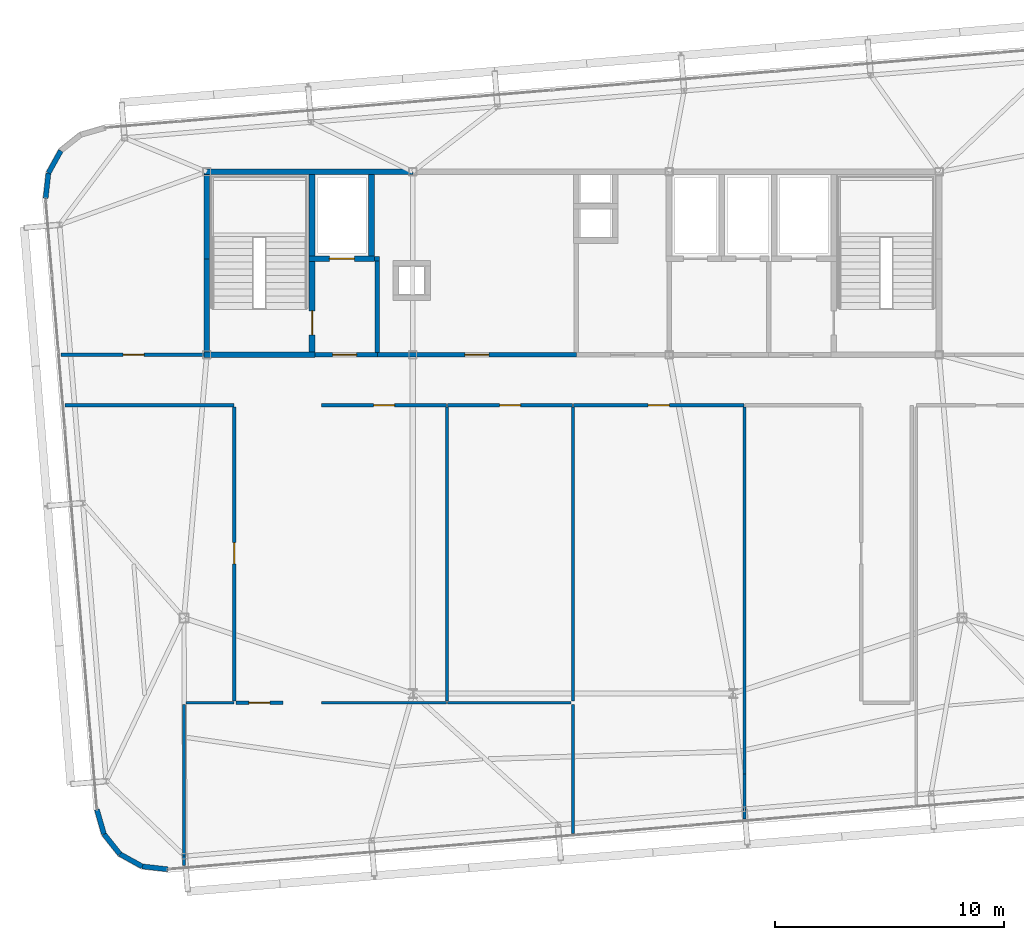
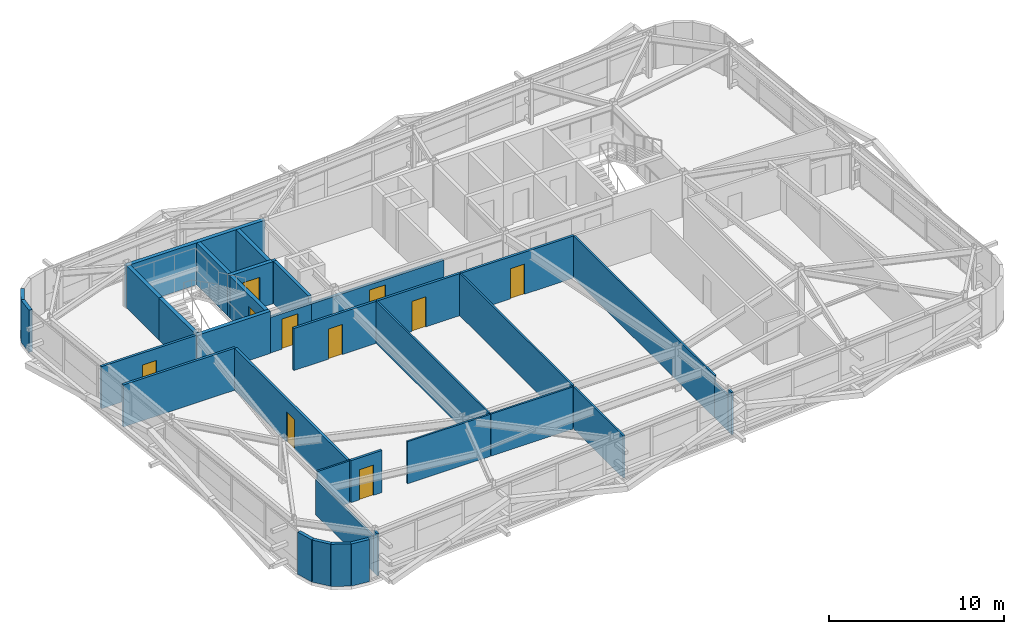
# One storey, part 42 of 46: 36 walls, 10 doors, 10 openings.
"""IFC4 building model written with IfcOpenShell, lengths in metres."""

from ifc_helpers import new_model, si_unit, direction, frame, frame_2d, origin, place, context, subcontext, project, spatial, rectangle, extrude, source, transform, mapped, material, layer, layer_set, type_object, element, fill, save


model = new_model("IFC4")

# Units and contexts
model_context = context("Model", 3, precision=1e-05, world=origin(), true_north=direction((0.0, 1.0)))
body_context = subcontext(model_context, "Body", "Model", "MODEL_VIEW")
ifc_project = project(units=[si_unit("LENGTHUNIT", "METRE"), si_unit("AREAUNIT", "SQUARE_METRE"), si_unit("VOLUMEUNIT", "CUBIC_METRE"), si_unit("PLANEANGLEUNIT", "RADIAN"), si_unit("MASSUNIT", "GRAM", prefix="KILO")], contexts=[model_context])

# Site, building, storey
site_placement = place(None, origin())
site = spatial("IfcSite", under=ifc_project, at=site_placement, CompositionType="ELEMENT")
building_placement = place(site_placement, origin())
building = spatial("IfcBuilding", under=site, at=building_placement, Name="Taldren Reach Tower", CompositionType="ELEMENT")
storey_placement = place(building_placement, frame((0.0, 0.0, 185.14990234375)))
storey = spatial("IfcBuildingStorey", under=building, at=storey_placement, Name="L56", CompositionType="ELEMENT", Elevation=185.14990234375)

# Walls
ifc_material_1 = material(Name="Pale Champagne Anodised Aluminium Cladding", Category="aluminium")
ifc_layer_1 = layer(ifc_material_1, 0.04, Name="Pale Champagne Anodised Aluminium Cladding", Category="aluminium")
ifc_material_2 = material(Name="Mineral Wool Acoustic Insulation", Category="insulation")
ifc_layer_2 = layer(ifc_material_2, 0.06, Name="Mineral Wool Acoustic Insulation", Category="insulation")
ifc_material_3 = material(Name="Steel Gr 350 (C350L0)", Category="steel")
ifc_layer_3 = layer(ifc_material_3, 0.12, Name="Steel Gr 350 (C350L0)", Category="steel")
ifc_layer_set_1 = layer_set([ifc_layer_1, ifc_layer_2, ifc_layer_3], Name="Pale Champagne Aluminium Cladding and Steel Gr 350 Stud Framing")
wall_type_1 = type_object("IfcWallType", Name="EW-CRN-220", PredefinedType="SOLIDWALL", material=ifc_layer_set_1)
shared_shape_1 = source(origin(), body_context, "Body", "SweptSolid", [
    extrude(rectangle(XDim=1.115966796875, YDim=0.219970703125, at=frame_2d((0.55810546875, 0.0))), origin(), (0.0, 0.0, 1.0), 2.93017578125),
])
for number, where, z_axis, x_axis, name in (
    (1, (12.618896484375, 32.9208984375, 0.0), (0.0, 0.0, 1.0), (-0.484100585842, -0.875012355791, 0.0), "Rounded-corner pale-metal facade wall L56-NW3"),
    (2, (12.07861328125, 31.9443359375, 0.0), (0.0, 0.0, 1.0), (-0.112232247342, -0.993682002784, 0.0), "Rounded-corner pale-metal facade wall L56-NW4"),
    (3, (14.19580078125, 4.129638671875, 0.0), (0.0, 0.0, 1.0), (0.276512002475, -0.961010464297, 0.0), "Rounded-corner pale-metal facade wall L56-SW1"),
    (4, (14.50439453125, 3.05712890625, 0.0), (0.0, 0.0, 1.0), (0.623092886403, -0.782147847222, 0.0), "Rounded-corner pale-metal facade wall L56-SW2"),
    (5, (15.19970703125, 2.184326171875, 0.0), (0.0, 0.0, 1.0), (0.875105012065, -0.483933071672, 0.0), "Rounded-corner pale-metal facade wall L56-SW3"),
    (6, (16.17626953125, 1.644287109375, 0.0), (0.0, 0.0, 1.0), (0.993657581277, -0.112448259968, 0.0), "Rounded-corner pale-metal facade wall L56-SW4"),
):
    element("IfcWall", number, at=place(storey_placement, frame(where, z_axis=z_axis, x_axis=x_axis)), inside=storey, type_object=wall_type_1, Name=name, PredefinedType="SOLIDWALL", context=body_context, shape_type="MappedRepresentation", body=[
        mapped(shared_shape_1, transform((0.0, 0.0, 0.0), scale=1.0)),
    ])

# Wall, opening, door
ifc_material_4 = material(Name="Fire-Rated Acoustic Plasterboard Stud Wall", Category="gypsum")
ifc_layer_4 = layer(ifc_material_4, 0.159912109375)
ifc_layer_set_2 = layer_set([ifc_layer_4], Name="Fire-Rated Acoustic Plasterboard Stud Wall")
wall_type_2 = type_object("IfcWallType", Name="IW-FIRE-160", PredefinedType="PARTITIONING", material=ifc_layer_set_2)
shared_shape_2 = source(origin(), body_context, "Body", "SweptSolid", [
    extrude(rectangle(XDim=2.0400390625, YDim=0.159912109375, at=frame_2d((1.02001953125, 0.0))), origin(), (0.0, 0.0, 1.0), 2.93017578125),
])
wall_1_placement = place(storey_placement, frame((22.320068359375, 8.800048828125, 0.0), z_axis=(0.0, 0.0, 1.0), x_axis=(-1.0, 0.0, 0.0)))
wall_1 = element("IfcWall", 7, at=wall_1_placement, inside=storey, type_object=wall_type_2, Name="Interior Partition Wall W-INT-L56-034", PredefinedType="PARTITIONING", context=body_context, shape_type="MappedRepresentation", body=[
    mapped(shared_shape_2, transform((0.0, 0.0, 0.0), scale=1.0)),
])
shared_shape_3 = source(origin(), body_context, "Body", "SweptSolid", [
    extrude(rectangle(XDim=0.919921875, YDim=2.10009765625, at=frame_2d((0.4599609375, 1.050048828125))), frame((0.0, 0.08984375, 0.0), z_axis=(0.0, -1.0, 0.0), x_axis=(1.0, 0.0, 0.0)), (0.0, 0.0, 1.0), 0.179931640625),
])
opening_1_placement = place(wall_1_placement, frame((0.56005859375, 0.0, 0.0)))
opening_1 = element("IfcOpeningElement", 8, at=opening_1_placement, cuts=wall_1, Name="Opening DI-092", PredefinedType="OPENING", context=body_context, shape_type="MappedRepresentation", body=[
    mapped(shared_shape_3, transform((0.0, 0.0, 0.0), scale=1.0)),
])
ifc_material_5 = material(Name="Solid-Core Timber Suite Door", Category="wood")
door_type_1 = type_object("IfcDoorType", Name="ID-INT-092", OperationType="NOTDEFINED", PredefinedType="DOOR", material=ifc_material_5)
shared_shape_4 = source(origin(), body_context, "Body", "SweptSolid", [
    extrude(rectangle(XDim=0.919921875, YDim=2.10009765625, at=frame_2d((0.4599609375, 1.050048828125))), frame((0.0, 0.02490234375, 0.0), z_axis=(0.0, -1.0, 0.0), x_axis=(1.0, 0.0, 0.0)), (0.0, 0.0, 1.0), 0.050048828125),
])
door_1_placement = place(opening_1_placement, origin())
door_1 = element("IfcDoor", 9, at=door_1_placement, inside=storey, type_object=door_type_1, Name="Interior Door DR-L56-008", OperationType="SINGLE_SWING_LEFT", OverallHeight=2.10009765625, OverallWidth=0.919921875, PredefinedType="DOOR", context=body_context, shape_type="MappedRepresentation", body=[
    mapped(shared_shape_4, transform((0.0, 0.0, 0.0), scale=1.0)),
])
fill(opening_1, door_1)

# Walls
ifc_material_6 = material(Name="Insulated Residential Stud Partition", Category="gypsum")
ifc_layer_5 = layer(ifc_material_6, 0.1201171875)
ifc_layer_set_3 = layer_set([ifc_layer_5], Name="Insulated Residential Stud Partition")
wall_type_3 = type_object("IfcWallType", Name="IW-PART-120", PredefinedType="PARTITIONING", material=ifc_layer_set_3)
shared_shape_5 = source(origin(), body_context, "Body", "SweptSolid", [
    extrude(rectangle(XDim=5.399658203125, YDim=0.1201171875, at=frame_2d((2.69970703125, 0.0))), origin(), (0.0, 0.0, 1.0), 2.93017578125),
])
wall_2_placement = place(storey_placement, frame((29.520263671875, 8.800048828125, 0.0), z_axis=(0.0, 0.0, 1.0), x_axis=(1.0, 0.0, 0.0)))
element("IfcWall", 10, at=wall_2_placement, inside=storey, type_object=wall_type_3, Name="Interior Partition Wall W-INT-L56-051", PredefinedType="PARTITIONING", context=body_context, shape_type="MappedRepresentation", body=[
    mapped(shared_shape_5, transform((0.0, 0.0, 0.0), scale=1.0)),
])
ifc_material_7 = material(Name="Concrete S50 (50 MPa)", Category="concrete")
ifc_layer_6 = layer(ifc_material_7, 0.199951171875)
ifc_layer_set_4 = layer_set([ifc_layer_6], Name="Concrete S50 (50 MPa)")
wall_type_4 = type_object("IfcWallType", Name="IW-CORE-200", PredefinedType="SOLIDWALL", material=ifc_layer_set_4)
shared_shape_6 = source(origin(), body_context, "Body", "SweptSolid", [
    extrude(rectangle(XDim=4.0, YDim=0.199951171875, at=frame_2d((2.0, 0.0))), origin(), (0.0, 0.0, 1.0), 2.93017578125),
])
wall_3_placement = place(storey_placement, frame((26.449951171875, 24.10009765625, 0.0), z_axis=(0.0, 0.0, 1.0), x_axis=(0.0, 1.0, 0.0)))
element("IfcWall", 11, at=wall_3_placement, inside=storey, type_object=wall_type_4, Name="Rear Core Shear Wall W-INT-L56-006", PredefinedType="SOLIDWALL", context=body_context, shape_type="MappedRepresentation", body=[
    mapped(shared_shape_6, transform((0.0, 0.0, 0.0), scale=1.0)),
])

# Wall, opening, door
shared_shape_7 = source(origin(), body_context, "Body", "SweptSolid", [
    extrude(rectangle(XDim=5.45947265625, YDim=0.159912109375, at=frame_2d((2.729736328125, 0.0))), origin(), (0.0, 0.0, 1.0), 2.93017578125),
])
wall_4_placement = place(storey_placement, frame((29.479736328125, 21.800048828125, 0.0), z_axis=(0.0, 0.0, 1.0), x_axis=(-1.0, 0.0, 0.0)))
wall_4 = element("IfcWall", 12, at=wall_4_placement, inside=storey, type_object=wall_type_2, Name="Interior Partition Wall W-INT-L56-038", PredefinedType="PARTITIONING", context=body_context, shape_type="MappedRepresentation", body=[
    mapped(shared_shape_7, transform((0.0, 0.0, 0.0), scale=1.0)),
])
opening_2_placement = place(wall_4_placement, frame((2.269775390625, 0.0, 0.0)))
opening_2 = element("IfcOpeningElement", 13, at=opening_2_placement, cuts=wall_4, Name="Opening DI-092", PredefinedType="OPENING", context=body_context, shape_type="MappedRepresentation", body=[
    mapped(shared_shape_3, transform((0.0, 0.0, 0.0), scale=1.0)),
])
door_2_placement = place(opening_2_placement, origin())
door_2 = element("IfcDoor", 14, at=door_2_placement, inside=storey, type_object=door_type_1, Name="Interior Door DR-L56-011", OperationType="SINGLE_SWING_RIGHT", OverallHeight=2.10009765625, OverallWidth=0.919921875, PredefinedType="DOOR", context=body_context, shape_type="MappedRepresentation", body=[
    mapped(shared_shape_4, transform((0.0, 0.0, 0.0), scale=1.0)),
])
fill(opening_2, door_2)

wall_5_placement = place(storey_placement, frame((34.979736328125, 21.800048828125, 0.0), z_axis=(0.0, 0.0, 1.0), x_axis=(-1.0, 0.0, 0.0)))
wall_5 = element("IfcWall", 15, at=wall_5_placement, inside=storey, type_object=wall_type_2, Name="Interior Partition Wall W-INT-L56-039", PredefinedType="PARTITIONING", context=body_context, shape_type="MappedRepresentation", body=[
    mapped(shared_shape_7, transform((0.0, 0.0, 0.0), scale=1.0)),
])
opening_3_placement = place(wall_5_placement, frame((2.269775390625, 0.0, 0.0)))
opening_3 = element("IfcOpeningElement", 16, at=opening_3_placement, cuts=wall_5, Name="Opening DI-092", PredefinedType="OPENING", context=body_context, shape_type="MappedRepresentation", body=[
    mapped(shared_shape_3, transform((0.0, 0.0, 0.0), scale=1.0)),
])
door_3_placement = place(opening_3_placement, origin())
door_3 = element("IfcDoor", 17, at=door_3_placement, inside=storey, type_object=door_type_1, Name="Interior Door DR-L56-012", OperationType="SINGLE_SWING_LEFT", OverallHeight=2.10009765625, OverallWidth=0.919921875, PredefinedType="DOOR", context=body_context, shape_type="MappedRepresentation", body=[
    mapped(shared_shape_4, transform((0.0, 0.0, 0.0), scale=1.0)),
])
fill(opening_3, door_3)

shared_shape_8 = source(origin(), body_context, "Body", "SweptSolid", [
    extrude(rectangle(XDim=7.45947265625, YDim=0.159912109375, at=frame_2d((3.729736328125, 0.0))), origin(), (0.0, 0.0, 1.0), 2.93017578125),
])
wall_6_placement = place(storey_placement, frame((42.479736328125, 21.800048828125, 0.0), z_axis=(0.0, 0.0, 1.0), x_axis=(-1.0, 0.0, 0.0)))
wall_6 = element("IfcWall", 18, at=wall_6_placement, inside=storey, type_object=wall_type_2, Name="Interior Partition Wall W-INT-L56-041", PredefinedType="PARTITIONING", context=body_context, shape_type="MappedRepresentation", body=[
    mapped(shared_shape_8, transform((0.0, 0.0, 0.0), scale=1.0)),
])
opening_4_placement = place(wall_6_placement, frame((3.269775390625, 0.0, 0.0)))
opening_4 = element("IfcOpeningElement", 19, at=opening_4_placement, cuts=wall_6, Name="Opening DI-092", PredefinedType="OPENING", context=body_context, shape_type="MappedRepresentation", body=[
    mapped(shared_shape_3, transform((0.0, 0.0, 0.0), scale=1.0)),
])
door_4_placement = place(opening_4_placement, origin())
door_4 = element("IfcDoor", 20, at=door_4_placement, inside=storey, type_object=door_type_1, Name="Interior Door DR-L56-014", OperationType="SINGLE_SWING_LEFT", OverallHeight=2.10009765625, OverallWidth=0.919921875, PredefinedType="DOOR", context=body_context, shape_type="MappedRepresentation", body=[
    mapped(shared_shape_4, transform((0.0, 0.0, 0.0), scale=1.0)),
])
fill(opening_4, door_4)

# Walls
ifc_material_8 = material(Name="Concrete S65 (65 MPa)", Category="concrete")
ifc_layer_7 = layer(ifc_material_8, 0.25)
ifc_layer_set_5 = layer_set([ifc_layer_7], Name="Concrete S65 (65 MPa)")
wall_type_5 = type_object("IfcWallType", Name="IW-CORE-250", PredefinedType="SHEAR", material=ifc_layer_set_5)
shared_shape_9 = source(origin(), body_context, "Body", "SweptSolid", [
    extrude(rectangle(XDim=9.125, YDim=0.25, at=frame_2d((4.5625, 0.0))), origin(), (0.0, 0.0, 1.0), 2.93017578125),
])
wall_7_placement = place(storey_placement, frame((18.875, 32.0, 0.0), z_axis=(0.0, 0.0, 1.0), x_axis=(1.0, 0.0, 0.0)))
element("IfcWall", 21, at=wall_7_placement, inside=storey, type_object=wall_type_5, Name="Rear Core Shear Wall W-CORE-L56-NORTH1", PredefinedType="SHEAR", context=body_context, shape_type="MappedRepresentation", body=[
    mapped(shared_shape_9, transform((0.0, 0.0, 0.0), scale=1.0)),
])
shared_shape_10 = source(origin(), body_context, "Body", "SweptSolid", [
    extrude(rectangle(XDim=4.074951171875, YDim=0.25, at=frame_2d((2.03759765625, 0.0))), origin(), (0.0, 0.0, 1.0), 2.93017578125),
])
wall_8_placement = place(storey_placement, frame((19.0, 24.125, 0.0), z_axis=(0.0, 0.0, 1.0), x_axis=(0.0, 1.0, 0.0)))
element("IfcWall", 22, at=wall_8_placement, inside=storey, type_object=wall_type_5, Name="Rear Core Shear Wall W-CORE-L56-WEST1", PredefinedType="SHEAR", context=body_context, shape_type="MappedRepresentation", body=[
    mapped(shared_shape_10, transform((0.0, 0.0, 0.0), scale=1.0)),
])
shared_shape_11 = source(origin(), body_context, "Body", "SweptSolid", [
    extrude(rectangle(XDim=3.675048828125, YDim=0.25, at=frame_2d((1.83740234375, 0.0))), origin(), (0.0, 0.0, 1.0), 2.93017578125),
])
wall_9_placement = place(storey_placement, frame((19.0, 28.199951171875, 0.0), z_axis=(0.0, 0.0, 1.0), x_axis=(0.0, 1.0, 0.0)))
element("IfcWall", 23, at=wall_9_placement, inside=storey, type_object=wall_type_5, Name="Rear Core Shear Wall W-CORE-L56-WEST2", PredefinedType="SHEAR", context=body_context, shape_type="MappedRepresentation", body=[
    mapped(shared_shape_11, transform((0.0, 0.0, 0.0), scale=1.0)),
])
shared_shape_12 = source(origin(), body_context, "Body", "SweptSolid", [
    extrude(rectangle(XDim=3.550048828125, YDim=0.25, at=frame_2d((1.77490234375, 0.0))), origin(), (0.0, 0.0, 1.0), 2.93017578125),
])
for number, where, z_axis, x_axis, name in (
    (24, (23.60009765625, 28.324951171875, 0.0), (0.0, 0.0, 1.0), (0.0, 1.0, 0.0), "Rear Core Shear Wall W-INT-L56-001"),
    (25, (26.199951171875, 28.324951171875, 0.0), (0.0, 0.0, 1.0), (0.0, 1.0, 0.0), "Rear Core Shear Wall W-INT-L56-005"),
):
    element("IfcWall", number, at=place(storey_placement, frame(where, z_axis=z_axis, x_axis=x_axis)), inside=storey, type_object=wall_type_5, Name=name, PredefinedType="SHEAR", context=body_context, shape_type="MappedRepresentation", body=[
        mapped(shared_shape_12, transform((0.0, 0.0, 0.0), scale=1.0)),
    ])

# Wall, opening, door
shared_shape_13 = source(origin(), body_context, "Body", "SweptSolid", [
    extrude(rectangle(XDim=3.949951171875, YDim=0.25, at=frame_2d((1.97509765625, 0.0))), origin(), (0.0, 0.0, 1.0), 2.93017578125),
])
wall_10_placement = place(storey_placement, frame((23.60009765625, 24.125, 0.0), z_axis=(0.0, 0.0, 1.0), x_axis=(0.0, 1.0, 0.0)))
wall_10 = element("IfcWall", 26, at=wall_10_placement, inside=storey, type_object=wall_type_5, Name="Rear Core Shear Wall W-INT-L56-002", PredefinedType="SHEAR", context=body_context, shape_type="MappedRepresentation", body=[
    mapped(shared_shape_13, transform((0.0, 0.0, 0.0), scale=1.0)),
])
shared_shape_14 = source(origin(), body_context, "Body", "SweptSolid", [
    extrude(rectangle(XDim=1.050048828125, YDim=2.10009765625, at=frame_2d((0.52490234375, 1.050048828125))), frame((0.0, 0.135009765625, 0.0), z_axis=(0.0, -1.0, 0.0), x_axis=(1.0, 0.0, 0.0)), (0.0, 0.0, 1.0), 0.27001953125),
])
opening_5_placement = place(wall_10_placement, frame((0.75, 0.0, 0.0)))
opening_5 = element("IfcOpeningElement", 27, at=opening_5_placement, cuts=wall_10, Name="Opening DF-105", PredefinedType="OPENING", context=body_context, shape_type="MappedRepresentation", body=[
    mapped(shared_shape_14, transform((0.0, 0.0, 0.0), scale=1.0)),
])
ifc_material_9 = material(Name="Fire-Rated Care and Stair Exit Door")
door_type_2 = type_object("IfcDoorType", Name="ID-FIRE-105", OperationType="NOTDEFINED", PredefinedType="DOOR", material=ifc_material_9)
shared_shape_15 = source(origin(), body_context, "Body", "SweptSolid", [
    extrude(rectangle(XDim=1.050048828125, YDim=2.10009765625, at=frame_2d((0.52490234375, 1.050048828125))), frame((0.0, 0.02490234375, 0.0), z_axis=(0.0, -1.0, 0.0), x_axis=(1.0, 0.0, 0.0)), (0.0, 0.0, 1.0), 0.050048828125),
])
door_5_placement = place(opening_5_placement, origin())
door_5 = element("IfcDoor", 28, at=door_5_placement, inside=storey, type_object=door_type_2, Name="Fire Exit Stair Door DR-L56-001", OperationType="SINGLE_SWING_LEFT", OverallHeight=2.10009765625, OverallWidth=1.050048828125, PredefinedType="DOOR", context=body_context, shape_type="MappedRepresentation", body=[
    mapped(shared_shape_15, transform((0.0, 0.0, 0.0), scale=1.0)),
])
fill(opening_5, door_5)

# Wall
shared_shape_16 = source(origin(), body_context, "Body", "SweptSolid", [
    extrude(rectangle(XDim=4.85009765625, YDim=0.25, at=frame_2d((2.425048828125, 0.0))), origin(), (0.0, 0.0, 1.0), 2.93017578125),
])
wall_11_placement = place(storey_placement, frame((18.875, 24.0, 0.0), z_axis=(0.0, 0.0, 1.0), x_axis=(1.0, 0.0, 0.0)))
element("IfcWall", 29, at=wall_11_placement, inside=storey, type_object=wall_type_5, Name="Rear Core Shear Wall W-INT-L56-003", PredefinedType="SHEAR", context=body_context, shape_type="MappedRepresentation", body=[
    mapped(shared_shape_16, transform((0.0, 0.0, 0.0), scale=1.0)),
])

# Wall, opening, door
shared_shape_17 = source(origin(), body_context, "Body", "SweptSolid", [
    extrude(rectangle(XDim=2.849853515625, YDim=0.25, at=frame_2d((1.4248046875, 0.0))), origin(), (0.0, 0.0, 1.0), 2.93017578125),
])
wall_12_placement = place(storey_placement, frame((23.47509765625, 28.199951171875, 0.0), z_axis=(0.0, 0.0, 1.0), x_axis=(1.0, 0.0, 0.0)))
wall_12 = element("IfcWall", 30, at=wall_12_placement, inside=storey, type_object=wall_type_5, Name="Rear Core Shear Wall W-INT-L56-004", PredefinedType="SHEAR", context=body_context, shape_type="MappedRepresentation", body=[
    mapped(shared_shape_17, transform((0.0, 0.0, 0.0), scale=1.0)),
])
shared_shape_18 = source(origin(), body_context, "Body", "SweptSolid", [
    extrude(rectangle(XDim=1.10009765625, YDim=2.14990234375, at=frame_2d((0.550048828125, 1.074951171875))), frame((0.0, 0.135009765625, 0.0), z_axis=(0.0, -1.0, 0.0), x_axis=(1.0, 0.0, 0.0)), (0.0, 0.0, 1.0), 0.27001953125),
])
opening_6_placement = place(wall_12_placement, frame((0.875, 0.0, 0.0)))
opening_6 = element("IfcOpeningElement", 31, at=opening_6_placement, cuts=wall_12, Name="Opening LD-FL1", PredefinedType="OPENING", context=body_context, shape_type="MappedRepresentation", body=[
    mapped(shared_shape_18, transform((0.0, 0.0, 0.0), scale=1.0)),
])
ifc_material_10 = material(Name="Stainless Steel Gr 316 Emergency Lift Landing Door", Category="steel")
door_type_3 = type_object("IfcDoorType", Name="LD-EMG-110", OperationType="SLIDING_TO_LEFT", PredefinedType="DOOR", material=ifc_material_10)
shared_shape_19 = source(origin(), body_context, "Body", "SweptSolid", [
    extrude(rectangle(XDim=1.10009765625, YDim=2.14990234375, at=frame_2d((0.550048828125, 1.074951171875))), frame((0.0, 0.02490234375, 0.0), z_axis=(0.0, -1.0, 0.0), x_axis=(1.0, 0.0, 0.0)), (0.0, 0.0, 1.0), 0.050048828125),
])
door_6_placement = place(opening_6_placement, origin())
door_6 = element("IfcDoor", 32, at=door_6_placement, inside=storey, type_object=door_type_3, Name="Lift Landing Door LD-FL1-L56", OperationType="SLIDING_TO_LEFT", OverallHeight=2.14990234375, OverallWidth=1.10009765625, PredefinedType="DOOR", context=body_context, shape_type="MappedRepresentation", body=[
    mapped(shared_shape_19, transform((0.0, 0.0, 0.0), scale=1.0)),
])
fill(opening_6, door_6)

shared_shape_20 = source(origin(), body_context, "Body", "SweptSolid", [
    extrude(rectangle(XDim=2.724853515625, YDim=0.199951171875, at=frame_2d((1.3623046875, 0.0))), origin(), (0.0, 0.0, 1.0), 2.47021484375),
])
wall_13_placement = place(storey_placement, frame((23.72509765625, 24.0, 0.0), z_axis=(0.0, 0.0, 1.0), x_axis=(1.0, 0.0, 0.0)))
wall_13 = element("IfcWall", 33, at=wall_13_placement, inside=storey, type_object=wall_type_4, Name="Rear Core Shear Wall W-INT-L56-007", PredefinedType="SOLIDWALL", context=body_context, shape_type="MappedRepresentation", body=[
    mapped(shared_shape_20, transform((0.0, 0.0, 0.0), scale=1.0)),
])
shared_shape_21 = source(origin(), body_context, "Body", "SweptSolid", [
    extrude(rectangle(XDim=1.050048828125, YDim=2.10009765625, at=frame_2d((0.52490234375, 1.050048828125))), frame((0.0, 0.10986328125, 0.0), z_axis=(0.0, -1.0, 0.0), x_axis=(1.0, 0.0, 0.0)), (0.0, 0.0, 1.0), 0.219970703125),
])
opening_7_placement = place(wall_13_placement, frame((0.77490234375, 0.0, 0.0)))
opening_7 = element("IfcOpeningElement", 34, at=opening_7_placement, cuts=wall_13, Name="Opening DF-105", PredefinedType="OPENING", context=body_context, shape_type="MappedRepresentation", body=[
    mapped(shared_shape_21, transform((0.0, 0.0, 0.0), scale=1.0)),
])
door_7_placement = place(opening_7_placement, origin())
door_7 = element("IfcDoor", 35, at=door_7_placement, inside=storey, type_object=door_type_2, Name="Interior Door DR-L56-002", OperationType="SINGLE_SWING_LEFT", OverallHeight=2.10009765625, OverallWidth=1.050048828125, PredefinedType="DOOR", context=body_context, shape_type="MappedRepresentation", body=[
    mapped(shared_shape_15, transform((0.0, 0.0, 0.0), scale=1.0)),
])
fill(opening_7, door_7)

shared_shape_22 = source(origin(), body_context, "Body", "SweptSolid", [
    extrude(rectangle(XDim=8.699951171875, YDim=0.199951171875, at=frame_2d((4.35009765625, 0.0))), origin(), (0.0, 0.0, 1.0), 2.47021484375),
])
wall_14_placement = place(storey_placement, frame((35.14990234375, 24.0, 0.0), z_axis=(0.0, 0.0, 1.0), x_axis=(-1.0, 0.0, 0.0)))
wall_14 = element("IfcWall", 36, at=wall_14_placement, inside=storey, type_object=wall_type_4, Name="Rear Core Shear Wall W-INT-L56-032", PredefinedType="SOLIDWALL", context=body_context, shape_type="MappedRepresentation", body=[
    mapped(shared_shape_22, transform((0.0, 0.0, 0.0), scale=1.0)),
])
opening_8_placement = place(wall_14_placement, frame((3.824951171875, 0.0, 0.0)))
opening_8 = element("IfcOpeningElement", 37, at=opening_8_placement, cuts=wall_14, Name="Opening DF-105", PredefinedType="OPENING", context=body_context, shape_type="MappedRepresentation", body=[
    mapped(shared_shape_21, transform((0.0, 0.0, 0.0), scale=1.0)),
])
door_8_placement = place(opening_8_placement, frame((1.050048828125, 0.0, 0.0), z_axis=(0.0, 0.0, 1.0), x_axis=(-1.0, 0.0, 0.0)))
door_8 = element("IfcDoor", 38, at=door_8_placement, inside=storey, type_object=door_type_2, Name="Interior Door DR-L56-006", OperationType="SINGLE_SWING_RIGHT", OverallHeight=2.10009765625, OverallWidth=1.050048828125, PredefinedType="DOOR", context=body_context, shape_type="MappedRepresentation", body=[
    mapped(shared_shape_15, transform((0.0, 0.0, 0.0), scale=1.0)),
])
fill(opening_8, door_8)

shared_shape_23 = source(origin(), body_context, "Body", "SweptSolid", [
    extrude(rectangle(XDim=6.250732421875, YDim=0.159912109375, at=frame_2d((3.12548828125, 0.0))), origin(), (0.0, 0.0, 1.0), 2.93017578125),
])
wall_15_placement = place(storey_placement, frame((12.624267578125, 24.0, 0.0), z_axis=(0.0, 0.0, 1.0), x_axis=(1.0, 0.0, 0.0)))
wall_15 = element("IfcWall", 39, at=wall_15_placement, inside=storey, type_object=wall_type_2, Name="Interior Partition Wall W-INT-L56-035", PredefinedType="PARTITIONING", context=body_context, shape_type="MappedRepresentation", body=[
    mapped(shared_shape_23, transform((0.0, 0.0, 0.0), scale=1.0)),
])
opening_9_placement = place(wall_15_placement, frame((2.7177734375, 0.0, 0.0)))
opening_9 = element("IfcOpeningElement", 40, at=opening_9_placement, cuts=wall_15, Name="Opening DI-092", PredefinedType="OPENING", context=body_context, shape_type="MappedRepresentation", body=[
    mapped(shared_shape_3, transform((0.0, 0.0, 0.0), scale=1.0)),
])
door_9_placement = place(opening_9_placement, origin())
door_9 = element("IfcDoor", 41, at=door_9_placement, inside=storey, type_object=door_type_1, Name="Interior Door DR-L56-009", OperationType="SINGLE_SWING_RIGHT", OverallHeight=2.10009765625, OverallWidth=0.919921875, PredefinedType="DOOR", context=body_context, shape_type="MappedRepresentation", body=[
    mapped(shared_shape_4, transform((0.0, 0.0, 0.0), scale=1.0)),
])
fill(opening_9, door_9)

shared_shape_24 = source(origin(), body_context, "Body", "SweptSolid", [
    extrude(rectangle(XDim=12.840087890625, YDim=0.159912109375, at=frame_2d((6.419921875, 0.0))), origin(), (0.0, 0.0, 1.0), 2.93017578125),
])
wall_16_placement = place(storey_placement, frame((20.199951171875, 8.8798828125, 0.0), z_axis=(0.0, 0.0, 1.0), x_axis=(0.0, 1.0, 0.0)))
wall_16 = element("IfcWall", 42, at=wall_16_placement, inside=storey, type_object=wall_type_2, Name="Interior Partition Wall W-INT-L56-036", PredefinedType="PARTITIONING", context=body_context, shape_type="MappedRepresentation", body=[
    mapped(shared_shape_24, transform((0.0, 0.0, 0.0), scale=1.0)),
])
opening_10_placement = place(wall_16_placement, frame((5.98974609375, 0.0, 0.0)))
opening_10 = element("IfcOpeningElement", 43, at=opening_10_placement, cuts=wall_16, Name="Opening DI-092", PredefinedType="OPENING", context=body_context, shape_type="MappedRepresentation", body=[
    mapped(shared_shape_3, transform((0.0, 0.0, 0.0), scale=1.0)),
])
door_10_placement = place(opening_10_placement, origin())
door_10 = element("IfcDoor", 44, at=door_10_placement, inside=storey, type_object=door_type_1, Name="Interior Door DR-L56-010", OperationType="SINGLE_SWING_LEFT", OverallHeight=2.10009765625, OverallWidth=0.919921875, PredefinedType="DOOR", context=body_context, shape_type="MappedRepresentation", body=[
    mapped(shared_shape_4, transform((0.0, 0.0, 0.0), scale=1.0)),
])
fill(opening_10, door_10)

# Walls
shared_shape_25 = source(origin(), body_context, "Body", "SweptSolid", [
    extrude(rectangle(XDim=7.384033203125, YDim=0.159912109375, at=frame_2d((3.69189453125, 0.0))), origin(), (0.0, 0.0, 1.0), 2.93017578125),
])
wall_17_placement = place(storey_placement, frame((20.1796875, 21.800048828125, 0.0), z_axis=(0.0, 0.0, 1.0), x_axis=(-1.0, 0.0, 0.0)))
element("IfcWall", 45, at=wall_17_placement, inside=storey, type_object=wall_type_2, Name="Interior Partition Wall W-INT-L56-037", PredefinedType="PARTITIONING", context=body_context, shape_type="MappedRepresentation", body=[
    mapped(shared_shape_25, transform((0.0, 0.0, 0.0), scale=1.0)),
])
shared_shape_26 = source(origin(), body_context, "Body", "SweptSolid", [
    extrude(rectangle(XDim=0.41796875, YDim=0.1201171875, at=frame_2d((0.208984375, 0.0))), origin(), (0.0, 0.0, 1.0), 2.93017578125),
])
wall_18_placement = place(storey_placement, frame((18.0, 1.67578125, 0.0), z_axis=(0.0, 0.0, 1.0), x_axis=(0.0, 1.0, 0.0)))
element("IfcWall", 46, at=wall_18_placement, inside=storey, type_object=wall_type_3, Name="Interior Partition Wall W-INT-L56-048", PredefinedType="PARTITIONING", context=body_context, shape_type="MappedRepresentation", body=[
    mapped(shared_shape_26, transform((0.0, 0.0, 0.0), scale=1.0)),
])
shared_shape_27 = source(origin(), body_context, "Body", "SweptSolid", [
    extrude(rectangle(XDim=6.626220703125, YDim=0.1201171875, at=frame_2d((3.31298828125, 0.0))), origin(), (0.0, 0.0, 1.0), 2.47021484375),
])
wall_19_placement = place(storey_placement, frame((18.0, 2.09375, 0.0), z_axis=(0.0, 0.0, 1.0), x_axis=(0.0, 1.0, 0.0)))
element("IfcWall", 47, at=wall_19_placement, inside=storey, type_object=wall_type_3, Name="Interior Partition Wall W-INT-L56-048 part 2", PredefinedType="PARTITIONING", context=body_context, shape_type="MappedRepresentation", body=[
    mapped(shared_shape_27, transform((0.0, 0.0, 0.0), scale=1.0)),
])
shared_shape_28 = source(origin(), body_context, "Body", "SweptSolid", [
    extrude(rectangle(XDim=2.099609375, YDim=0.1201171875, at=frame_2d((1.0498046875, 0.0))), origin(), (0.0, 0.0, 1.0), 2.93017578125),
])
wall_20_placement = place(storey_placement, frame((18.080078125, 8.800048828125, 0.0), z_axis=(0.0, 0.0, 1.0), x_axis=(1.0, 0.0, 0.0)))
element("IfcWall", 48, at=wall_20_placement, inside=storey, type_object=wall_type_3, Name="Interior Partition Wall W-INT-L56-049", PredefinedType="PARTITIONING", context=body_context, shape_type="MappedRepresentation", body=[
    mapped(shared_shape_28, transform((0.0, 0.0, 0.0), scale=1.0)),
])
shared_shape_29 = source(origin(), body_context, "Body", "SweptSolid", [
    extrude(rectangle(XDim=5.45947265625, YDim=0.1201171875, at=frame_2d((2.729736328125, 0.0))), origin(), (0.0, 0.0, 1.0), 2.93017578125),
])
wall_21_placement = place(storey_placement, frame((24.020263671875, 8.800048828125, 0.0), z_axis=(0.0, 0.0, 1.0), x_axis=(1.0, 0.0, 0.0)))
element("IfcWall", 49, at=wall_21_placement, inside=storey, type_object=wall_type_3, Name="Interior Partition Wall W-INT-L56-050", PredefinedType="PARTITIONING", context=body_context, shape_type="MappedRepresentation", body=[
    mapped(shared_shape_29, transform((0.0, 0.0, 0.0), scale=1.0)),
])
shared_shape_30 = source(origin(), body_context, "Body", "SweptSolid", [
    extrude(rectangle(XDim=5.6298828125, YDim=0.1201171875, at=frame_2d((2.81494140625, 0.0))), origin(), (0.0, 0.0, 1.0), 2.93017578125),
])
wall_22_placement = place(storey_placement, frame((35.0, 8.719970703125, 0.0), z_axis=(0.0, 0.0, 1.0), x_axis=(0.0, -1.0, 0.0)))
element("IfcWall", 50, at=wall_22_placement, inside=storey, type_object=wall_type_3, Name="Interior Partition Wall W-INT-L56-052", PredefinedType="PARTITIONING", context=body_context, shape_type="MappedRepresentation", body=[
    mapped(shared_shape_30, transform((0.0, 0.0, 0.0), scale=1.0)),
])
shared_shape_31 = source(origin(), body_context, "Body", "SweptSolid", [
    extrude(rectangle(XDim=12.840087890625, YDim=0.1201171875, at=frame_2d((6.419921875, 0.0))), origin(), (0.0, 0.0, 1.0), 2.93017578125),
])
wall_23_placement = place(storey_placement, frame((29.5, 21.719970703125, 0.0), z_axis=(0.0, 0.0, 1.0), x_axis=(0.0, -1.0, 0.0)))
element("IfcWall", 51, at=wall_23_placement, inside=storey, type_object=wall_type_3, Name="Interior Partition Wall W-INT-L56-053", PredefinedType="PARTITIONING", context=body_context, shape_type="MappedRepresentation", body=[
    mapped(shared_shape_31, transform((0.0, 0.0, 0.0), scale=1.0)),
])
shared_shape_32 = source(origin(), body_context, "Body", "SweptSolid", [
    extrude(rectangle(XDim=12.8359375, YDim=0.1201171875, at=frame_2d((6.41796875, 0.0))), origin(), (0.0, 0.0, 1.0), 2.93017578125),
])
wall_24_placement = place(storey_placement, frame((35.0, 21.718017578125, 0.0), z_axis=(0.0, 0.0, 1.0), x_axis=(0.0, -1.0, 0.0)))
element("IfcWall", 52, at=wall_24_placement, inside=storey, type_object=wall_type_3, Name="Interior Partition Wall W-INT-L56-054", PredefinedType="PARTITIONING", context=body_context, shape_type="MappedRepresentation", body=[
    mapped(shared_shape_32, transform((0.0, 0.0, 0.0), scale=1.0)),
])
shared_shape_33 = source(origin(), body_context, "Body", "SweptSolid", [
    extrude(rectangle(XDim=16.041748046875, YDim=0.1201171875, at=frame_2d((8.02099609375, 0.0))), origin(), (0.0, 0.0, 1.0), 2.93017578125),
])
wall_25_placement = place(storey_placement, frame((42.5, 21.719970703125, 0.0), z_axis=(0.0, 0.0, 1.0), x_axis=(0.0, -1.0, 0.0)))
element("IfcWall", 53, at=wall_25_placement, inside=storey, type_object=wall_type_3, Name="Interior Partition Wall W-INT-L56-055", PredefinedType="PARTITIONING", context=body_context, shape_type="MappedRepresentation", body=[
    mapped(shared_shape_33, transform((0.0, 0.0, 0.0), scale=1.0)),
])
shared_shape_34 = source(origin(), body_context, "Body", "SweptSolid", [
    extrude(rectangle(XDim=1.535888671875, YDim=0.1201171875, at=frame_2d((0.76806640625, 0.0))), origin(), (0.0, 0.0, 1.0), 2.47021484375),
])
wall_26_placement = place(storey_placement, frame((42.5, 5.67822265625, 0.0), z_axis=(0.0, 0.0, 1.0), x_axis=(0.0, -1.0, 0.0)))
element("IfcWall", 54, at=wall_26_placement, inside=storey, type_object=wall_type_3, Name="Interior Partition Wall W-INT-L56-055 part 2", PredefinedType="PARTITIONING", context=body_context, shape_type="MappedRepresentation", body=[
    mapped(shared_shape_34, transform((0.0, 0.0, 0.0), scale=1.0)),
])
shared_shape_35 = source(origin(), body_context, "Body", "SweptSolid", [
    extrude(rectangle(XDim=0.422607421875, YDim=0.1201171875, at=frame_2d((0.21142578125, 0.0))), origin(), (0.0, 0.0, 1.0), 2.93017578125),
])
wall_27_placement = place(storey_placement, frame((42.5, 4.142333984375, 0.0), z_axis=(0.0, 0.0, 1.0), x_axis=(0.0, -1.0, 0.0)))
element("IfcWall", 55, at=wall_27_placement, inside=storey, type_object=wall_type_3, Name="Interior Partition Wall W-INT-L56-055 part 3", PredefinedType="PARTITIONING", context=body_context, shape_type="MappedRepresentation", body=[
    mapped(shared_shape_35, transform((0.0, 0.0, 0.0), scale=1.0)),
])
shared_shape_36 = source(origin(), body_context, "Body", "SweptSolid", [
    extrude(rectangle(XDim=0.22509765625, YDim=0.199951171875, at=frame_2d((0.112548828125, 0.0))), origin(), (0.0, 0.0, 1.0), 2.93017578125),
])
wall_28_placement = place(storey_placement, frame((26.324951171875, 28.199951171875, 0.0), z_axis=(0.0, 0.0, 1.0), x_axis=(1.0, 0.0, 0.0)))
element("IfcWall", 56, at=wall_28_placement, inside=storey, type_object=wall_type_4, Name="Rear Core Partition Wall W-INT-L56-058", PredefinedType="SOLIDWALL", context=body_context, shape_type="MappedRepresentation", body=[
    mapped(shared_shape_36, transform((0.0, 0.0, 0.0), scale=1.0)),
])

save(model, "model.ifc")
